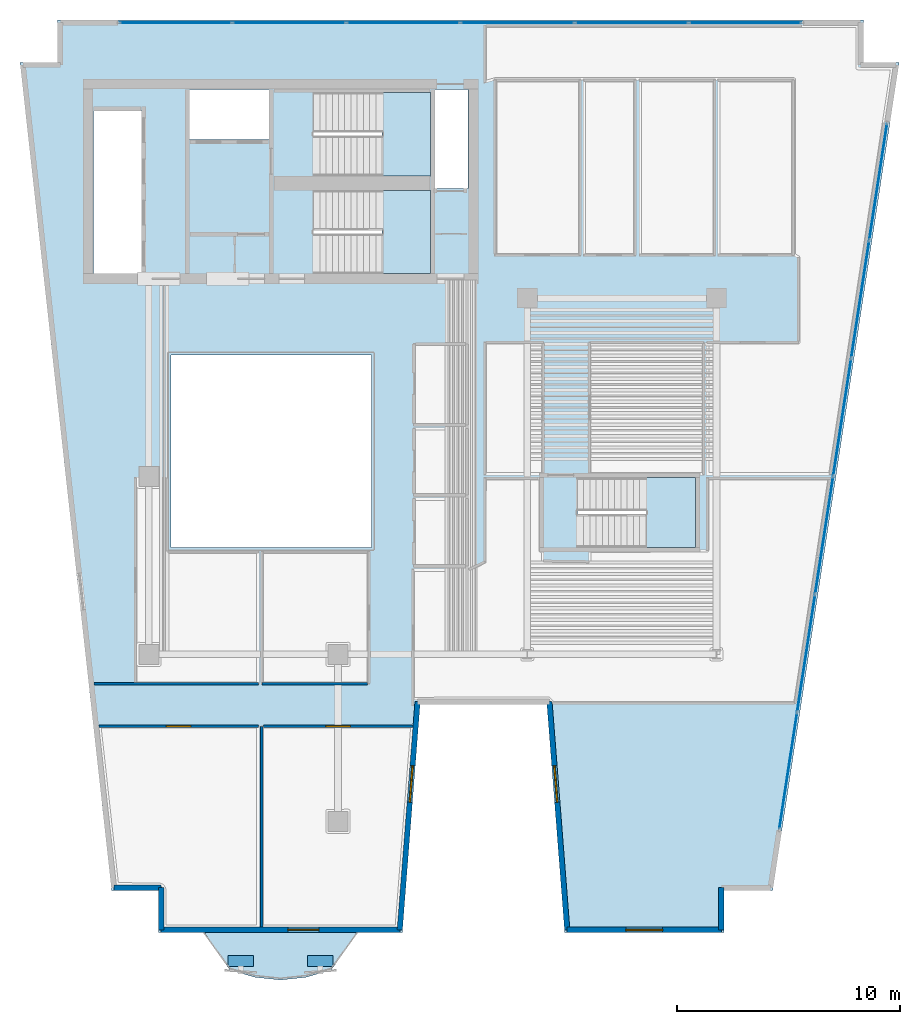
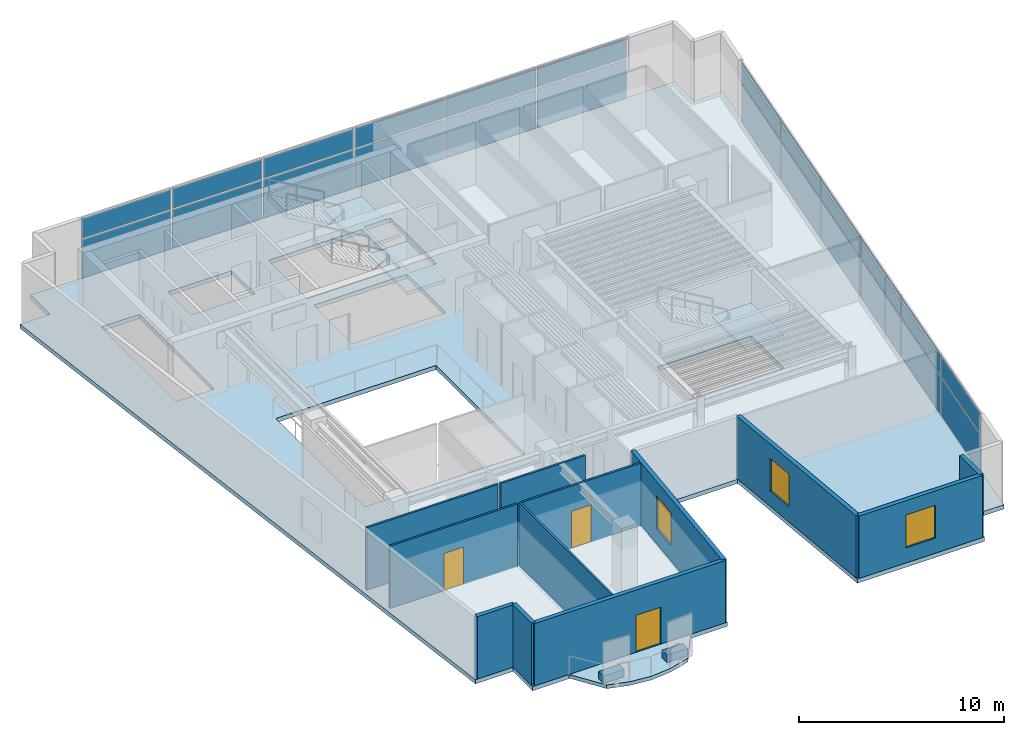
# One storey, part 3 of 8: 26 plates, 12 walls, 5 slabs, 3 doors, 3 windows, 6 openings, 5 elements without a shape of their own.
"""IFC4 building model written with IfcOpenShell, lengths in metres."""

from ifc_helpers import new_model, si_unit, direction, frame, frame_2d, origin, origin_2d, place, context, subcontext, project, spatial, polyline, rectangle, outline, extrude, material, layer, layer_set, type_object, element, fill, aggregate, save


model = new_model("IFC4")

# Units and contexts
model_context = context("Model", 3, precision=1e-05, world=origin(), true_north=direction((0.0, 1.0)))
body_context = subcontext(model_context, "Body", "Model", "MODEL_VIEW")
ifc_project = project(units=[si_unit("LENGTHUNIT", "METRE"), si_unit("AREAUNIT", "SQUARE_METRE"), si_unit("VOLUMEUNIT", "CUBIC_METRE"), si_unit("PLANEANGLEUNIT", "RADIAN"), si_unit("MASSUNIT", "GRAM", prefix="KILO")], contexts=[model_context])

# Site, building, storey
site_placement = place(None, origin())
site = spatial("IfcSite", under=ifc_project, at=site_placement, CompositionType="ELEMENT")
building_placement = place(site_placement, origin())
building = spatial("IfcBuilding", under=site, at=building_placement, Name="Caeloran Harvest Quay", CompositionType="ELEMENT")
storey_placement = place(building_placement, frame((0.0, 0.0, 243.0)))
storey = spatial("IfcBuildingStorey", under=building, at=storey_placement, Name="L58", CompositionType="ELEMENT", Elevation=243.0)

# Slab
ifc_material_1 = material(Name="Concrete C50/60", Category="concrete")
ifc_layer_1 = layer(ifc_material_1, 0.219970703125, Name="Concrete C50/60")
ifc_layer_set_1 = layer_set([ifc_layer_1], Name="Concrete C50/60")
slab_type_1 = type_object("IfcSlabType", Name="BALCONY-BL-220", PredefinedType="FLOOR", material=ifc_layer_set_1)
slab_1_placement = place(storey_placement, frame((0.0, 0.0, -0.219970703125)))
element("IfcSlab", 1, at=slab_1_placement, inside=storey, type_object=slab_type_1, Name="L58 Scalloped Cantilevered Planted Balcony Slab", PredefinedType="FLOOR", context=body_context, shape_type="SweptSolid", body=[
    extrude(outline(polyline([(16.70068359375, 0.820068359375), (15.5576171875, 0.490478515625), (14.41455078125, 0.3701171875), (13.271240234375, 0.490478515625), (12.128173828125, 0.820068359375), (10.998291015625, 2.5), (17.83056640625, 2.5), (16.70068359375, 0.820068359375)])), origin(), (0.0, 0.0, 1.0), 0.219970703125),
])

# Curtain wall, plates
ifc_material_2 = material(Name="Aluminium 6063-T6 and Low-E Glazing", Category="aluminium")
ifc_layer_2 = layer(ifc_material_2, 0.219970703125, Name="Aluminium 6063-T6 and Low-E Glazing")
ifc_layer_set_2 = layer_set([ifc_layer_2], Name="Aluminium 6063-T6 and Low-E Glazing")
curtain_wall_type = type_object("IfcCurtainWallType", Name="CW-SYS-CW-5", PredefinedType="USERDEFINED", material=ifc_layer_set_2)
curtain_wall_1_placement = place(storey_placement, origin())
curtain_wall_1 = element("IfcCurtainWall", 2, at=curtain_wall_1_placement, inside=storey, type_object=curtain_wall_type, Name="L58 Unitised Curtain Wall CW-5 Run 6", ObjectType="CURTAIN_WALL", PredefinedType="USERDEFINED")
ifc_material_3 = material(Name="Low-E Double Glazed Vision Glass Unit", Category="glass")
ifc_layer_3 = layer(ifc_material_3, 0.035888671875, Name="Low-E Double Glazed Vision Glass Unit")
ifc_layer_set_3 = layer_set([ifc_layer_3], Name="Low-E Double Glazed Vision Glass Unit")
plate_type_1 = type_object("IfcPlateType", Name="CW-VISION-PANEL", PredefinedType="CURTAIN_PANEL", material=ifc_layer_set_3)
plate_1_placement = place(storey_placement, frame((9.703369140625, 43.3798828125, 0.080078125), z_axis=(0.0, 0.0, 1.0), x_axis=(1.0, 0.0, 0.0)))
plate_1 = element("IfcPlate", 3, at=plate_1_placement, type_object=plate_type_1, Name="CW-5 panel 1.1", PredefinedType="CURTAIN_PANEL", context=body_context, shape_type="SweptSolid", body=[
    extrude(rectangle(XDim=5.006591796875, YDim=0.035888671875, at=origin_2d()), origin(), (0.0, 0.0, 1.0), 2.280029296875),
])
plate_2_placement = place(storey_placement, frame((9.703369140625, 43.3798828125, 2.43994140625), z_axis=(0.0, 0.0, 1.0), x_axis=(1.0, 0.0, 0.0)))
plate_2 = element("IfcPlate", 4, at=plate_2_placement, type_object=plate_type_1, Name="CW-5 panel 1.2", PredefinedType="CURTAIN_PANEL", context=body_context, shape_type="SweptSolid", body=[
    extrude(rectangle(XDim=5.006591796875, YDim=0.035888671875, at=origin_2d()), origin(), (0.0, 0.0, 1.0), 1.179931640625),
])
plate_3_placement = place(storey_placement, frame((14.81005859375, 43.3798828125, 0.080078125), z_axis=(0.0, 0.0, 1.0), x_axis=(1.0, 0.0, 0.0)))
plate_3 = element("IfcPlate", 5, at=plate_3_placement, type_object=plate_type_1, Name="CW-5 panel 2.1", PredefinedType="CURTAIN_PANEL", context=body_context, shape_type="SweptSolid", body=[
    extrude(rectangle(XDim=5.046630859375, YDim=0.035888671875, at=origin_2d()), origin(), (0.0, 0.0, 1.0), 2.280029296875),
])
plate_4_placement = place(storey_placement, frame((14.81005859375, 43.3798828125, 2.43994140625), z_axis=(0.0, 0.0, 1.0), x_axis=(1.0, 0.0, 0.0)))
plate_4 = element("IfcPlate", 6, at=plate_4_placement, type_object=plate_type_1, Name="CW-5 panel 2.2", PredefinedType="CURTAIN_PANEL", context=body_context, shape_type="SweptSolid", body=[
    extrude(rectangle(XDim=5.046630859375, YDim=0.035888671875, at=origin_2d()), origin(), (0.0, 0.0, 1.0), 1.179931640625),
])
plate_5_placement = place(storey_placement, frame((19.936767578125, 43.3798828125, 0.080078125), z_axis=(0.0, 0.0, 1.0), x_axis=(1.0, 0.0, 0.0)))
plate_5 = element("IfcPlate", 7, at=plate_5_placement, type_object=plate_type_1, Name="CW-5 panel 3.1", PredefinedType="CURTAIN_PANEL", context=body_context, shape_type="SweptSolid", body=[
    extrude(rectangle(XDim=5.046630859375, YDim=0.035888671875, at=origin_2d()), origin(), (0.0, 0.0, 1.0), 2.280029296875),
])
plate_6_placement = place(storey_placement, frame((19.936767578125, 43.3798828125, 2.43994140625), z_axis=(0.0, 0.0, 1.0), x_axis=(1.0, 0.0, 0.0)))
plate_6 = element("IfcPlate", 8, at=plate_6_placement, type_object=plate_type_1, Name="CW-5 panel 3.2", PredefinedType="CURTAIN_PANEL", context=body_context, shape_type="SweptSolid", body=[
    extrude(rectangle(XDim=5.046630859375, YDim=0.035888671875, at=origin_2d()), origin(), (0.0, 0.0, 1.0), 1.179931640625),
])
plate_7_placement = place(storey_placement, frame((25.063232421875, 43.3798828125, 0.080078125), z_axis=(0.0, 0.0, 1.0), x_axis=(1.0, 0.0, 0.0)))
plate_7 = element("IfcPlate", 9, at=plate_7_placement, type_object=plate_type_1, Name="CW-5 panel 4.1", PredefinedType="CURTAIN_PANEL", context=body_context, shape_type="SweptSolid", body=[
    extrude(rectangle(XDim=5.046630859375, YDim=0.035888671875, at=origin_2d()), origin(), (0.0, 0.0, 1.0), 2.280029296875),
])
plate_8_placement = place(storey_placement, frame((25.063232421875, 43.3798828125, 2.43994140625), z_axis=(0.0, 0.0, 1.0), x_axis=(1.0, 0.0, 0.0)))
plate_8 = element("IfcPlate", 10, at=plate_8_placement, type_object=plate_type_1, Name="CW-5 panel 4.2", PredefinedType="CURTAIN_PANEL", context=body_context, shape_type="SweptSolid", body=[
    extrude(rectangle(XDim=5.046630859375, YDim=0.035888671875, at=origin_2d()), origin(), (0.0, 0.0, 1.0), 1.179931640625),
])
plate_9_placement = place(storey_placement, frame((30.18994140625, 43.3798828125, 0.080078125), z_axis=(0.0, 0.0, 1.0), x_axis=(1.0, 0.0, 0.0)))
plate_9 = element("IfcPlate", 11, at=plate_9_placement, type_object=plate_type_1, Name="CW-5 panel 5.1", PredefinedType="CURTAIN_PANEL", context=body_context, shape_type="SweptSolid", body=[
    extrude(rectangle(XDim=5.046630859375, YDim=0.035888671875, at=origin_2d()), origin(), (0.0, 0.0, 1.0), 2.280029296875),
])
plate_10_placement = place(storey_placement, frame((30.18994140625, 43.3798828125, 2.43994140625), z_axis=(0.0, 0.0, 1.0), x_axis=(1.0, 0.0, 0.0)))
plate_10 = element("IfcPlate", 12, at=plate_10_placement, type_object=plate_type_1, Name="CW-5 panel 5.2", PredefinedType="CURTAIN_PANEL", context=body_context, shape_type="SweptSolid", body=[
    extrude(rectangle(XDim=5.046630859375, YDim=0.035888671875, at=origin_2d()), origin(), (0.0, 0.0, 1.0), 1.179931640625),
])
plate_11_placement = place(storey_placement, frame((35.296630859375, 43.3798828125, 0.080078125), z_axis=(0.0, 0.0, 1.0), x_axis=(1.0, 0.0, 0.0)))
plate_11 = element("IfcPlate", 13, at=plate_11_placement, type_object=plate_type_1, Name="CW-5 panel 6.1", PredefinedType="CURTAIN_PANEL", context=body_context, shape_type="SweptSolid", body=[
    extrude(rectangle(XDim=5.006591796875, YDim=0.035888671875, at=origin_2d()), origin(), (0.0, 0.0, 1.0), 2.280029296875),
])
plate_12_placement = place(storey_placement, frame((35.296630859375, 43.3798828125, 2.43994140625), z_axis=(0.0, 0.0, 1.0), x_axis=(1.0, 0.0, 0.0)))
plate_12 = element("IfcPlate", 14, at=plate_12_placement, type_object=plate_type_1, Name="CW-5 panel 6.2", PredefinedType="CURTAIN_PANEL", context=body_context, shape_type="SweptSolid", body=[
    extrude(rectangle(XDim=5.006591796875, YDim=0.035888671875, at=origin_2d()), origin(), (0.0, 0.0, 1.0), 1.179931640625),
])
aggregate(curtain_wall_1, [plate_1, plate_2, plate_3, plate_4, plate_5, plate_6, plate_7, plate_8, plate_9, plate_10, plate_11, plate_12])

curtain_wall_2_placement = place(storey_placement, origin())
curtain_wall_2 = element("IfcCurtainWall", 15, at=curtain_wall_2_placement, inside=storey, type_object=curtain_wall_type, Name="L58 Unitised Curtain Wall CW-5 Run 9", ObjectType="CURTAIN_WALL", PredefinedType="USERDEFINED")
plate_13_placement = place(storey_placement, frame((41.26904296875, 36.23828125, 0.080078125), z_axis=(0.0, 0.0, 1.0), x_axis=(-0.151027591278, -0.988529547698, 0.0)))
plate_13 = element("IfcPlate", 16, at=plate_13_placement, type_object=plate_type_1, Name="CW-5 panel 1.1", PredefinedType="CURTAIN_PANEL", context=body_context, shape_type="SweptSolid", body=[
    extrude(rectangle(XDim=5.244873046875, YDim=0.035888671875, at=origin_2d()), origin(), (0.0, 0.0, 1.0), 2.280029296875),
])
plate_14_placement = place(storey_placement, frame((41.26904296875, 36.23828125, 2.43994140625), z_axis=(0.0, 0.0, 1.0), x_axis=(-0.151027591278, -0.988529547698, 0.0)))
plate_14 = element("IfcPlate", 17, at=plate_14_placement, type_object=plate_type_1, Name="CW-5 panel 1.2", PredefinedType="CURTAIN_PANEL", context=body_context, shape_type="SweptSolid", body=[
    extrude(rectangle(XDim=5.244873046875, YDim=0.035888671875, at=origin_2d()), origin(), (0.0, 0.0, 1.0), 1.179931640625),
])
plate_15_placement = place(storey_placement, frame((40.4619140625, 30.954833984375, 0.080078125), z_axis=(0.0, 0.0, 1.0), x_axis=(-0.151027591278, -0.988529547698, 0.0)))
plate_15 = element("IfcPlate", 18, at=plate_15_placement, type_object=plate_type_1, Name="CW-5 panel 2.1", PredefinedType="CURTAIN_PANEL", context=body_context, shape_type="SweptSolid", body=[
    extrude(rectangle(XDim=5.284912109375, YDim=0.035888671875, at=origin_2d()), origin(), (0.0, 0.0, 1.0), 2.280029296875),
])
plate_16_placement = place(storey_placement, frame((40.4619140625, 30.954833984375, 2.43994140625), z_axis=(0.0, 0.0, 1.0), x_axis=(-0.151027591278, -0.988529547698, 0.0)))
plate_16 = element("IfcPlate", 19, at=plate_16_placement, type_object=plate_type_1, Name="CW-5 panel 2.2", PredefinedType="CURTAIN_PANEL", context=body_context, shape_type="SweptSolid", body=[
    extrude(rectangle(XDim=5.284912109375, YDim=0.035888671875, at=origin_2d()), origin(), (0.0, 0.0, 1.0), 1.179931640625),
])
plate_17_placement = place(storey_placement, frame((39.651611328125, 25.651611328125, 0.080078125), z_axis=(0.0, 0.0, 1.0), x_axis=(-0.151027591278, -0.988529547698, 0.0)))
plate_17 = element("IfcPlate", 20, at=plate_17_placement, type_object=plate_type_1, Name="CW-5 panel 3.1", PredefinedType="CURTAIN_PANEL", context=body_context, shape_type="SweptSolid", body=[
    extrude(rectangle(XDim=5.284912109375, YDim=0.035888671875, at=origin_2d()), origin(), (0.0, 0.0, 1.0), 2.280029296875),
])
plate_18_placement = place(storey_placement, frame((39.651611328125, 25.651611328125, 2.43994140625), z_axis=(0.0, 0.0, 1.0), x_axis=(-0.151027591278, -0.988529547698, 0.0)))
plate_18 = element("IfcPlate", 21, at=plate_18_placement, type_object=plate_type_1, Name="CW-5 panel 3.2", PredefinedType="CURTAIN_PANEL", context=body_context, shape_type="SweptSolid", body=[
    extrude(rectangle(XDim=5.284912109375, YDim=0.035888671875, at=origin_2d()), origin(), (0.0, 0.0, 1.0), 1.179931640625),
])
plate_19_placement = place(storey_placement, frame((38.841552734375, 20.348388671875, 0.080078125), z_axis=(0.0, 0.0, 1.0), x_axis=(-0.151027591278, -0.988529547698, 0.0)))
plate_19 = element("IfcPlate", 22, at=plate_19_placement, type_object=plate_type_1, Name="CW-5 panel 4.1", PredefinedType="CURTAIN_PANEL", context=body_context, shape_type="SweptSolid", body=[
    extrude(rectangle(XDim=5.284912109375, YDim=0.035888671875, at=origin_2d()), origin(), (0.0, 0.0, 1.0), 2.280029296875),
])
plate_20_placement = place(storey_placement, frame((38.841552734375, 20.348388671875, 2.43994140625), z_axis=(0.0, 0.0, 1.0), x_axis=(-0.151027591278, -0.988529547698, 0.0)))
plate_20 = element("IfcPlate", 23, at=plate_20_placement, type_object=plate_type_1, Name="CW-5 panel 4.2", PredefinedType="CURTAIN_PANEL", context=body_context, shape_type="SweptSolid", body=[
    extrude(rectangle(XDim=5.284912109375, YDim=0.035888671875, at=origin_2d()), origin(), (0.0, 0.0, 1.0), 1.179931640625),
])
plate_21_placement = place(storey_placement, frame((38.03125, 15.045166015625, 0.080078125), z_axis=(0.0, 0.0, 1.0), x_axis=(-0.151027591278, -0.988529547698, 0.0)))
plate_21 = element("IfcPlate", 24, at=plate_21_placement, type_object=plate_type_1, Name="CW-5 panel 5.1", PredefinedType="CURTAIN_PANEL", context=body_context, shape_type="SweptSolid", body=[
    extrude(rectangle(XDim=5.284912109375, YDim=0.035888671875, at=origin_2d()), origin(), (0.0, 0.0, 1.0), 2.280029296875),
])
plate_22_placement = place(storey_placement, frame((38.03125, 15.045166015625, 2.43994140625), z_axis=(0.0, 0.0, 1.0), x_axis=(-0.151027591278, -0.988529547698, 0.0)))
plate_22 = element("IfcPlate", 25, at=plate_22_placement, type_object=plate_type_1, Name="CW-5 panel 5.2", PredefinedType="CURTAIN_PANEL", context=body_context, shape_type="SweptSolid", body=[
    extrude(rectangle(XDim=5.284912109375, YDim=0.035888671875, at=origin_2d()), origin(), (0.0, 0.0, 1.0), 1.179931640625),
])
plate_23_placement = place(storey_placement, frame((37.22412109375, 9.76171875, 0.080078125), z_axis=(0.0, 0.0, 1.0), x_axis=(-0.151027591278, -0.988529547698, 0.0)))
plate_23 = element("IfcPlate", 26, at=plate_23_placement, type_object=plate_type_1, Name="CW-5 panel 6.1", PredefinedType="CURTAIN_PANEL", context=body_context, shape_type="SweptSolid", body=[
    extrude(rectangle(XDim=5.244873046875, YDim=0.035888671875, at=origin_2d()), origin(), (0.0, 0.0, 1.0), 2.280029296875),
])
plate_24_placement = place(storey_placement, frame((37.22412109375, 9.76171875, 2.43994140625), z_axis=(0.0, 0.0, 1.0), x_axis=(-0.151027591278, -0.988529547698, 0.0)))
plate_24 = element("IfcPlate", 27, at=plate_24_placement, type_object=plate_type_1, Name="CW-5 panel 6.2", PredefinedType="CURTAIN_PANEL", context=body_context, shape_type="SweptSolid", body=[
    extrude(rectangle(XDim=5.244873046875, YDim=0.035888671875, at=origin_2d()), origin(), (0.0, 0.0, 1.0), 1.179931640625),
])
aggregate(curtain_wall_2, [plate_13, plate_14, plate_15, plate_16, plate_17, plate_18, plate_19, plate_20, plate_21, plate_22, plate_23, plate_24])

# Plates
ifc_material_4 = material(Name="Precast concrete C50/60", Category="concrete")
ifc_layer_4 = layer(ifc_material_4, 0.449951171875, Name="Precast concrete C50/60")
ifc_layer_set_4 = layer_set([ifc_layer_4], Name="Precast concrete C50/60")
plate_type_2 = type_object("IfcPlateType", Name="PLANTER-TROUGH-450", PredefinedType="USERDEFINED", material=ifc_layer_set_4)
for number, where, z_axis, x_axis, name in (
    (28, (16.19775390625, 1.22509765625, 0.0), (0.0, 0.0, 1.0), (1.0, 0.0, 0.0), "L58 Balcony Vertical-Greenery Precast PLANTER Trough 1"),
    (29, (12.631103515625, 1.22509765625, 0.0), (0.0, 0.0, 1.0), (1.0, 0.0, 0.0), "L58 Balcony Vertical-Greenery Precast PLANTER Trough 2"),
):
    element("IfcPlate", number, at=place(storey_placement, frame(where, z_axis=z_axis, x_axis=x_axis)), inside=storey, type_object=plate_type_2, Name=name, ObjectType="PLANTER", PredefinedType="USERDEFINED", context=body_context, shape_type="SweptSolid", body=[
        extrude(rectangle(XDim=1.14990234375, YDim=0.47998046875, at=origin_2d()), origin(), (0.0, 0.0, 1.0), 0.449951171875),
    ])

# Slab
ifc_layer_5 = layer(ifc_material_1, 0.25, Name="Concrete C50/60")
ifc_layer_set_5 = layer_set([ifc_layer_5], Name="Concrete C50/60")
slab_type_2 = type_object("IfcSlabType", Name="SLAB-FS-250", PredefinedType="FLOOR", material=ifc_layer_set_5)
slab_2_placement = place(storey_placement, frame((0.0, 0.0, -0.25)))
element("IfcSlab", 30, at=slab_2_placement, inside=storey, type_object=slab_type_2, Name="L58 Structural Floor Slab", PredefinedType="FLOOR", context=body_context, shape_type="SweptSolid", body=[
    extrude(outline(polyline([(8.93603515625, 2.5), (19.884033203125, 2.5), (20.68408203125, 12.75), (26.384033203125, 12.75), (27.18408203125, 2.5), (34.3359375, 2.5), (34.3359375, 4.39990234375), (36.5263671875, 4.39990234375), (42.209716796875, 41.60009765625), (40.60009765625, 41.60009765625), (40.60009765625, 43.5), (4.39990234375, 43.5), (4.39990234375, 41.60009765625), (2.710205078125, 41.60009765625), (6.82568359375, 4.39990234375), (8.93603515625, 4.39990234375), (8.93603515625, 2.5)]), holes=[polyline([(33.050048828125, 19.800048828125), (27.75, 19.800048828125), (27.75, 22.949951171875), (33.050048828125, 22.949951171875), (33.050048828125, 19.800048828125)]), polyline([(18.5, 19.800048828125), (9.5, 19.800048828125), (9.5, 28.449951171875), (18.5, 28.449951171875), (18.5, 19.800048828125)]), polyline([(15.89990234375, 32.10009765625), (15.89990234375, 35.85009765625), (21.14990234375, 35.85009765625), (21.14990234375, 32.10009765625), (15.89990234375, 32.10009765625)]), polyline([(8.159912109375, 32.1201171875), (6.02001953125, 32.1201171875), (6.02001953125, 39.419921875), (8.159912109375, 39.419921875), (8.159912109375, 32.1201171875)]), polyline([(22.830078125, 35.919921875), (21.35009765625, 35.919921875), (21.35009765625, 40.3798828125), (22.830078125, 40.3798828125), (22.830078125, 35.919921875)]), polyline([(15.89990234375, 36.5), (15.89990234375, 40.25), (21.14990234375, 40.25), (21.14990234375, 36.5), (15.89990234375, 36.5)]), polyline([(13.89990234375, 38.1201171875), (10.320068359375, 38.1201171875), (10.320068359375, 40.3798828125), (13.89990234375, 40.3798828125), (13.89990234375, 38.1201171875)])]), origin(), (0.0, 0.0, 1.0), 0.25),
])

# Stair, slab
stair_type_1 = type_object("IfcStairType", Name="STAIR-STC-180", PredefinedType="HALF_TURN_STAIR", material=ifc_material_1)
stair_1_placement = place(storey_placement, origin())
stair_1 = element("IfcStair", 31, at=stair_1_placement, inside=storey, type_object=stair_type_1, Name="L58 Core Pressurized Exit Stair ST-C1", PredefinedType="HALF_TURN_STAIR")
ifc_layer_6 = layer(ifc_material_1, 0.219970703125, Name="Concrete C50/60")
ifc_layer_set_6 = layer_set([ifc_layer_6], Name="Concrete C50/60")
slab_type_3 = type_object("IfcSlabType", Name="STAIR-LANDING-220", PredefinedType="LANDING", material=ifc_layer_set_6)
slab_3_placement = place(storey_placement, frame((0.0, 0.0, 1.77490234375)))
slab_3 = element("IfcSlab", 32, at=slab_3_placement, type_object=slab_type_3, Name="ST-C1 landing 1", PredefinedType="LANDING", context=body_context, shape_type="SweptSolid", body=[
    extrude(outline(polyline([(18.97998046875, 36.5), (21.14990234375, 36.5), (21.14990234375, 40.25), (18.97998046875, 40.25), (18.97998046875, 36.5)])), origin(), (0.0, 0.0, 1.0), 0.2001953125),
])
aggregate(stair_1, [slab_3])

stair_2_placement = place(storey_placement, origin())
stair_2 = element("IfcStair", 33, at=stair_2_placement, inside=storey, type_object=stair_type_1, Name="L58 Core Pressurized Exit Stair ST-C2", PredefinedType="HALF_TURN_STAIR")
slab_4_placement = place(storey_placement, frame((0.0, 0.0, 1.77490234375)))
slab_4 = element("IfcSlab", 34, at=slab_4_placement, type_object=slab_type_3, Name="ST-C2 landing 1", PredefinedType="LANDING", context=body_context, shape_type="SweptSolid", body=[
    extrude(outline(polyline([(18.97998046875, 32.10009765625), (21.14990234375, 32.10009765625), (21.14990234375, 35.85009765625), (18.97998046875, 35.85009765625), (18.97998046875, 32.10009765625)])), origin(), (0.0, 0.0, 1.0), 0.2001953125),
])
aggregate(stair_2, [slab_4])

stair_type_2 = type_object("IfcStairType", Name="STAIR-STW-150", PredefinedType="HALF_TURN_STAIR", material=ifc_material_1)
stair_3_placement = place(storey_placement, origin())
stair_3 = element("IfcStair", 35, at=stair_3_placement, inside=storey, type_object=stair_type_2, Name="L58 East Wing Protected Exit Stair ST-W1", PredefinedType="HALF_TURN_STAIR")
slab_5_placement = place(storey_placement, frame((0.0, 0.0, 1.77490234375)))
slab_5 = element("IfcSlab", 36, at=slab_5_placement, type_object=slab_type_3, Name="ST-W1 landing 1", PredefinedType="LANDING", context=body_context, shape_type="SweptSolid", body=[
    extrude(outline(polyline([(30.830078125, 19.800048828125), (33.050048828125, 19.800048828125), (33.050048828125, 22.949951171875), (30.830078125, 22.949951171875), (30.830078125, 19.800048828125)])), origin(), (0.0, 0.0, 1.0), 0.2001953125),
])
aggregate(stair_3, [slab_5])

# Walls
ifc_layer_7 = layer(ifc_material_4, 0.239990234375, Name="Precast concrete C50/60")
ifc_layer_set_7 = layer_set([ifc_layer_7], Name="Precast concrete C50/60")
wall_type_1 = type_object("IfcWallType", Name="ENV-WALL-EW-240", PredefinedType="STANDARD", material=ifc_layer_set_7)
wall_1_placement = place(storey_placement, frame((9.055908203125, 2.6201171875, 0.0), z_axis=(0.0, 0.0, 1.0), x_axis=(0.0, 1.0, 0.0)))
element("IfcWall", 37, at=wall_1_placement, inside=storey, type_object=wall_type_1, Name="L58 Exterior Precast Concrete Facade Wall 1", PredefinedType="STANDARD", context=body_context, shape_type="SweptSolid", body=[
    extrude(rectangle(XDim=1.89990234375, YDim=0.239990234375, at=frame_2d((0.949951171875, 0.0))), origin(), (0.0, 0.0, 1.0), 3.699951171875),
])
wall_2_placement = place(storey_placement, frame((9.055908203125, 4.52001953125, 0.0), z_axis=(0.0, 0.0, 1.0), x_axis=(-1.0, 0.0, 0.0)))
element("IfcWall", 38, at=wall_2_placement, inside=storey, type_object=wall_type_1, Name="L58 Exterior Precast Concrete Facade Wall 2", PredefinedType="STANDARD", context=body_context, shape_type="SweptSolid", body=[
    extrude(rectangle(XDim=2.12255859375, YDim=0.239990234375, at=frame_2d((1.061279296875, 0.0))), origin(), (0.0, 0.0, 1.0), 3.699951171875),
])
wall_3_placement = place(storey_placement, frame((34.216064453125, 4.52001953125, 0.0), z_axis=(0.0, 0.0, 1.0), x_axis=(0.0, -1.0, 0.0)))
element("IfcWall", 39, at=wall_3_placement, inside=storey, type_object=wall_type_1, Name="L58 Exterior Precast Concrete Facade Wall 11", PredefinedType="STANDARD", context=body_context, shape_type="SweptSolid", body=[
    extrude(rectangle(XDim=1.89990234375, YDim=0.239990234375, at=frame_2d((0.949951171875, 0.0))), origin(), (0.0, 0.0, 1.0), 3.699951171875),
])

# Wall, opening, window
wall_4_placement = place(storey_placement, frame((34.216064453125, 2.6201171875, 0.0), z_axis=(0.0, 0.0, 1.0), x_axis=(-1.0, 0.0, 0.0)))
wall_4 = element("IfcWall", 40, at=wall_4_placement, inside=storey, type_object=wall_type_1, Name="L58 Exterior Precast Concrete Facade Wall 12", PredefinedType="STANDARD", context=body_context, shape_type="SweptSolid", body=[
    extrude(rectangle(XDim=6.921142578125, YDim=0.239990234375, at=frame_2d((3.46044921875, 0.0))), origin(), (0.0, 0.0, 1.0), 3.699951171875),
])
opening_1_placement = place(wall_4_placement, frame((2.635009765625, 0.0, 0.89990234375)))
opening_1 = element("IfcOpeningElement", 41, at=opening_1_placement, cuts=wall_4, Name="Opening W-08", PredefinedType="OPENING", context=body_context, shape_type="SweptSolid", body=[
    extrude(rectangle(XDim=1.64990234375, YDim=1.949951171875, at=frame_2d((0.824951171875, 0.97509765625))), frame((0.0, 0.1298828125, 0.0), z_axis=(0.0, -1.0, 0.0), x_axis=(1.0, 0.0, 0.0)), (0.0, 0.0, 1.0), 0.260009765625),
])
ifc_material_5 = material(Name="Aluminium-Framed Low-E Laminated Glass", Category="aluminium")
window_type = type_object("IfcWindowType", Name="WIN-W-08", PartitioningType="SINGLE_PANEL", PredefinedType="WINDOW", material=ifc_material_5)
window_1_placement = place(opening_1_placement, origin())
window_1 = element("IfcWindow", 42, at=window_1_placement, inside=storey, type_object=window_type, Name="L58 Facade Punched Window W-08", OverallHeight=1.949951171875, OverallWidth=1.64990234375, PartitioningType="SINGLE_PANEL", PredefinedType="WINDOW", context=body_context, shape_type="SweptSolid", body=[
    extrude(rectangle(XDim=1.64990234375, YDim=1.949951171875, at=frame_2d((0.824951171875, 0.97509765625))), frame((0.0, 0.030029296875, 0.0), z_axis=(0.0, -1.0, 0.0), x_axis=(1.0, 0.0, 0.0)), (0.0, 0.0, 1.0), 0.06005859375),
])
fill(opening_1, window_1)

wall_5_placement = place(storey_placement, frame((27.294921875, 2.6201171875, 0.0), z_axis=(0.0, 0.0, 1.0), x_axis=(-0.077793257511, 0.996969512616, 0.0)))
wall_5 = element("IfcWall", 43, at=wall_5_placement, inside=storey, type_object=wall_type_1, Name="L58 Exterior Precast Concrete Facade Wall 13", PredefinedType="STANDARD", context=body_context, shape_type="SweptSolid", body=[
    extrude(rectangle(XDim=10.28125, YDim=0.239990234375, at=frame_2d((5.140625, 0.0))), origin(), (0.0, 0.0, 1.0), 3.699951171875),
])
opening_2_placement = place(wall_5_placement, frame((5.7548828125, 0.0, 0.89990234375)))
opening_2 = element("IfcOpeningElement", 44, at=opening_2_placement, cuts=wall_5, Name="Opening W-08", PredefinedType="OPENING", context=body_context, shape_type="SweptSolid", body=[
    extrude(rectangle(XDim=1.64990234375, YDim=1.949951171875, at=frame_2d((0.824951171875, 0.97509765625))), frame((0.0, 0.1298828125, 0.0), z_axis=(0.0, -1.0, 0.0), x_axis=(1.0, 0.0, 0.0)), (0.0, 0.0, 1.0), 0.260009765625),
])
window_2_placement = place(opening_2_placement, origin())
window_2 = element("IfcWindow", 45, at=window_2_placement, inside=storey, type_object=window_type, Name="L58 Facade Punched Window W-08", OverallHeight=1.949951171875, OverallWidth=1.64990234375, PartitioningType="SINGLE_PANEL", PredefinedType="WINDOW", context=body_context, shape_type="SweptSolid", body=[
    extrude(rectangle(XDim=1.64990234375, YDim=1.949951171875, at=frame_2d((0.824951171875, 0.97509765625))), frame((0.0, 0.030029296875, 0.0), z_axis=(0.0, -1.0, 0.0), x_axis=(1.0, 0.0, 0.0)), (0.0, 0.0, 1.0), 0.06005859375),
])
fill(opening_2, window_2)

wall_6_placement = place(storey_placement, frame((20.572998046875, 12.8701171875, 0.0), z_axis=(0.0, 0.0, 1.0), x_axis=(-0.077816860153, -0.996967670627, 0.0)))
wall_6 = element("IfcWall", 46, at=wall_6_placement, inside=storey, type_object=wall_type_1, Name="L58 Exterior Precast Concrete Facade Wall 15", PredefinedType="STANDARD", context=body_context, shape_type="SweptSolid", body=[
    extrude(rectangle(XDim=10.28125, YDim=0.239990234375, at=frame_2d((5.140625, 0.0))), origin(), (0.0, 0.0, 1.0), 3.699951171875),
])
opening_3_placement = place(wall_6_placement, frame((2.8759765625, 0.0, 0.89990234375)))
opening_3 = element("IfcOpeningElement", 47, at=opening_3_placement, cuts=wall_6, Name="Opening W-08", PredefinedType="OPENING", context=body_context, shape_type="SweptSolid", body=[
    extrude(rectangle(XDim=1.64990234375, YDim=1.949951171875, at=frame_2d((0.824951171875, 0.97509765625))), frame((0.0, 0.1298828125, 0.0), z_axis=(0.0, -1.0, 0.0), x_axis=(1.0, 0.0, 0.0)), (0.0, 0.0, 1.0), 0.260009765625),
])
window_3_placement = place(opening_3_placement, origin())
window_3 = element("IfcWindow", 48, at=window_3_placement, inside=storey, type_object=window_type, Name="L58 Facade Punched Window W-08", OverallHeight=1.949951171875, OverallWidth=1.64990234375, PartitioningType="SINGLE_PANEL", PredefinedType="WINDOW", context=body_context, shape_type="SweptSolid", body=[
    extrude(rectangle(XDim=1.64990234375, YDim=1.949951171875, at=frame_2d((0.824951171875, 0.97509765625))), frame((0.0, 0.030029296875, 0.0), z_axis=(0.0, -1.0, 0.0), x_axis=(1.0, 0.0, 0.0)), (0.0, 0.0, 1.0), 0.06005859375),
])
fill(opening_3, window_3)

# Wall, opening, door
wall_7_placement = place(storey_placement, frame((19.77294921875, 2.6201171875, 0.0), z_axis=(0.0, 0.0, 1.0), x_axis=(-1.0, 0.0, 0.0)))
wall_7 = element("IfcWall", 49, at=wall_7_placement, inside=storey, type_object=wall_type_1, Name="L58 Exterior Precast Concrete Facade Wall 16", PredefinedType="STANDARD", context=body_context, shape_type="SweptSolid", body=[
    extrude(rectangle(XDim=10.717041015625, YDim=0.239990234375, at=frame_2d((5.3583984375, 0.0))), origin(), (0.0, 0.0, 1.0), 3.699951171875),
])
opening_4_placement = place(wall_7_placement, frame((3.6298828125, 0.0, 0.0)))
opening_4 = element("IfcOpeningElement", 50, at=opening_4_placement, cuts=wall_7, Name="Opening BD-02", PredefinedType="OPENING", context=body_context, shape_type="SweptSolid", body=[
    extrude(rectangle(XDim=1.39990234375, YDim=2.199951171875, at=frame_2d((0.699951171875, 1.10009765625))), frame((0.0, 0.1298828125, 0.0), z_axis=(0.0, -1.0, 0.0), x_axis=(1.0, 0.0, 0.0)), (0.0, 0.0, 1.0), 0.260009765625),
])
ifc_material_6 = material(Name="Thermally Broken Powder-Coated Aluminium and Safety Glass", Category="aluminium")
door_type_1 = type_object("IfcDoorType", Name="EXTDOOR-BD-02", OperationType="NOTDEFINED", PredefinedType="DOOR", material=ifc_material_6)
door_1_placement = place(opening_4_placement, origin())
door_1 = element("IfcDoor", 51, at=door_1_placement, inside=storey, type_object=door_type_1, Name="L58 Planted Balcony Glazed Access Door", OperationType="SINGLE_SWING_LEFT", OverallHeight=2.199951171875, OverallWidth=1.39990234375, PredefinedType="DOOR", context=body_context, shape_type="SweptSolid", body=[
    extrude(rectangle(XDim=1.39990234375, YDim=2.199951171875, at=frame_2d((0.699951171875, 1.10009765625))), frame((0.0, 0.02490234375, 0.0), z_axis=(0.0, -1.0, 0.0), x_axis=(1.0, 0.0, 0.0)), (0.0, 0.0, 1.0), 0.050048828125),
])
fill(opening_4, door_1)

# Wall
ifc_material_7 = material(Name="Single-Stud Acoustic Gypsum Office Partition", Category="gypsum")
ifc_layer_8 = layer(ifc_material_7, 0.112060546875, Name="Single-Stud Acoustic Gypsum Office Partition")
ifc_layer_set_8 = layer_set([ifc_layer_8], Name="Single-Stud Acoustic Gypsum Office Partition")
wall_type_2 = type_object("IfcWallType", Name="INT-WALL-PW-112", PredefinedType="PARTITIONING", material=ifc_layer_set_8)
wall_8_placement = place(storey_placement, frame((13.580078125, 2.7451171875, 0.0), z_axis=(0.0, 0.0, 1.0), x_axis=(0.0, 1.0, 0.0)))
element("IfcWall", 52, at=wall_8_placement, inside=storey, type_object=wall_type_2, Name="Sustainable Urbanism Advisory Office Partition Wall", PredefinedType="PARTITIONING", context=body_context, shape_type="SweptSolid", body=[
    extrude(rectangle(XDim=9.02490234375, YDim=0.112060546875, at=frame_2d((4.512451171875, 0.0))), origin(), (0.0, 0.0, 1.0), 3.699951171875),
])

# Wall, opening, door
wall_9_placement = place(storey_placement, frame((13.64111328125, 11.77001953125, 0.0), z_axis=(0.0, 0.0, 1.0), x_axis=(1.0, 0.0, 0.0)))
wall_9 = element("IfcWall", 53, at=wall_9_placement, inside=storey, type_object=wall_type_2, Name="Sustainable Urbanism Advisory Office Partition Wall", PredefinedType="PARTITIONING", context=body_context, shape_type="SweptSolid", body=[
    extrude(rectangle(XDim=6.720703125, YDim=0.112060546875, at=frame_2d((3.3603515625, 0.0))), origin(), (0.0, 0.0, 1.0), 3.699951171875),
])
opening_5_placement = place(wall_9_placement, frame((2.810302734375, 0.0, 0.0)))
opening_5 = element("IfcOpeningElement", 54, at=opening_5_placement, cuts=wall_9, Name="Opening ID-04", PredefinedType="OPENING", context=body_context, shape_type="SweptSolid", body=[
    extrude(rectangle(XDim=1.10009765625, YDim=2.199951171875, at=frame_2d((0.550048828125, 1.10009765625))), frame((0.0, 0.06591796875, 0.0), z_axis=(0.0, -1.0, 0.0), x_axis=(1.0, 0.0, 0.0)), (0.0, 0.0, 1.0), 0.132080078125),
])
ifc_material_8 = material(Name="Acoustic Walnut Veneer Executive Door", Category="wood")
door_type_2 = type_object("IfcDoorType", Name="INTDOOR-ID-04", OperationType="NOTDEFINED", PredefinedType="DOOR", material=ifc_material_8)
door_2_placement = place(opening_5_placement, origin())
door_2 = element("IfcDoor", 55, at=door_2_placement, inside=storey, type_object=door_type_2, Name="Sustainable Urbanism Advisory Office Access Door", OperationType="SINGLE_SWING_RIGHT", OverallHeight=2.199951171875, OverallWidth=1.10009765625, PredefinedType="DOOR", context=body_context, shape_type="SweptSolid", body=[
    extrude(rectangle(XDim=1.10009765625, YDim=2.199951171875, at=frame_2d((0.550048828125, 1.10009765625))), frame((0.0, 0.02490234375, 0.0), z_axis=(0.0, -1.0, 0.0), x_axis=(1.0, 0.0, 0.0)), (0.0, 0.0, 1.0), 0.050048828125),
])
fill(opening_5, door_2)

wall_10_placement = place(storey_placement, frame((6.257080078125, 11.77001953125, 0.0), z_axis=(0.0, 0.0, 1.0), x_axis=(1.0, 0.0, 0.0)))
wall_10 = element("IfcWall", 56, at=wall_10_placement, inside=storey, type_object=wall_type_2, Name="GIS Spatial Modelling Lab Partition Wall", PredefinedType="PARTITIONING", context=body_context, shape_type="SweptSolid", body=[
    extrude(rectangle(XDim=7.162841796875, YDim=0.112060546875, at=frame_2d((3.58154296875, 0.0))), origin(), (0.0, 0.0, 1.0), 3.699951171875),
])
opening_6_placement = place(wall_10_placement, frame((3.031494140625, 0.0, 0.0)))
opening_6 = element("IfcOpeningElement", 57, at=opening_6_placement, cuts=wall_10, Name="Opening ID-04", PredefinedType="OPENING", context=body_context, shape_type="SweptSolid", body=[
    extrude(rectangle(XDim=1.10009765625, YDim=2.199951171875, at=frame_2d((0.550048828125, 1.10009765625))), frame((0.0, 0.06591796875, 0.0), z_axis=(0.0, -1.0, 0.0), x_axis=(1.0, 0.0, 0.0)), (0.0, 0.0, 1.0), 0.132080078125),
])
door_3_placement = place(opening_6_placement, origin())
door_3 = element("IfcDoor", 58, at=door_3_placement, inside=storey, type_object=door_type_2, Name="GIS Spatial Modelling Lab Access Door", OperationType="SINGLE_SWING_LEFT", OverallHeight=2.199951171875, OverallWidth=1.10009765625, PredefinedType="DOOR", context=body_context, shape_type="SweptSolid", body=[
    extrude(rectangle(XDim=1.10009765625, YDim=2.199951171875, at=frame_2d((0.550048828125, 1.10009765625))), frame((0.0, 0.02490234375, 0.0), z_axis=(0.0, -1.0, 0.0), x_axis=(1.0, 0.0, 0.0)), (0.0, 0.0, 1.0), 0.050048828125),
])
fill(opening_6, door_3)

# Walls
wall_11_placement = place(storey_placement, frame((18.3291015625, 13.679931640625, 0.0), z_axis=(0.0, 0.0, 1.0), x_axis=(-1.0, 0.0, 0.0)))
element("IfcWall", 59, at=wall_11_placement, inside=storey, type_object=wall_type_2, Name="Director Office Partition Wall", PredefinedType="PARTITIONING", context=body_context, shape_type="SweptSolid", body=[
    extrude(rectangle(XDim=4.7490234375, YDim=0.112060546875, at=frame_2d((2.37451171875, 0.0))), origin(), (0.0, 0.0, 1.0), 3.699951171875),
])
wall_12_placement = place(storey_placement, frame((13.419921875, 13.679931640625, 0.0), z_axis=(0.0, 0.0, 1.0), x_axis=(-1.0, 0.0, 0.0)))
element("IfcWall", 60, at=wall_12_placement, inside=storey, type_object=wall_type_2, Name="Terrace Cafe Kitchen Partition Wall", PredefinedType="PARTITIONING", context=body_context, shape_type="SweptSolid", body=[
    extrude(rectangle(XDim=7.374267578125, YDim=0.112060546875, at=frame_2d((3.68701171875, 0.0))), origin(), (0.0, 0.0, 1.0), 3.699951171875),
])

save(model, "model.ifc")
